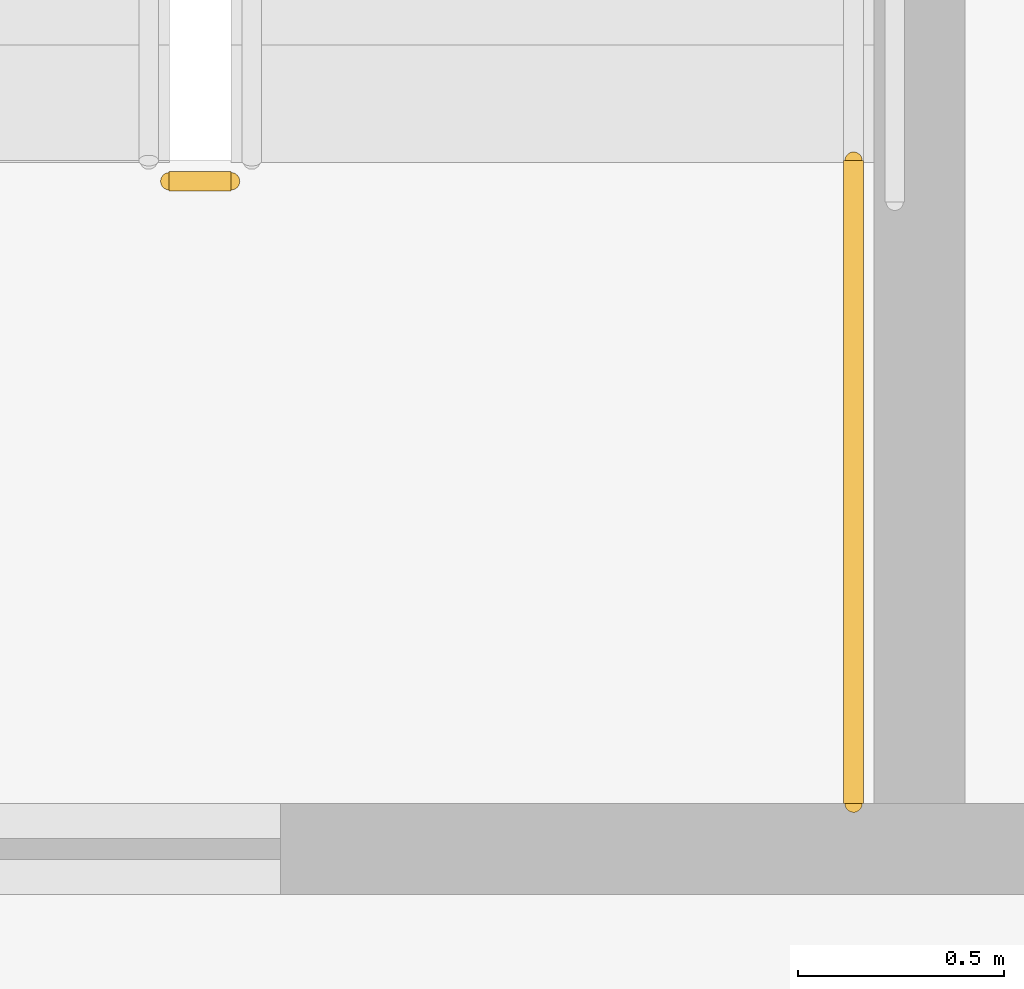
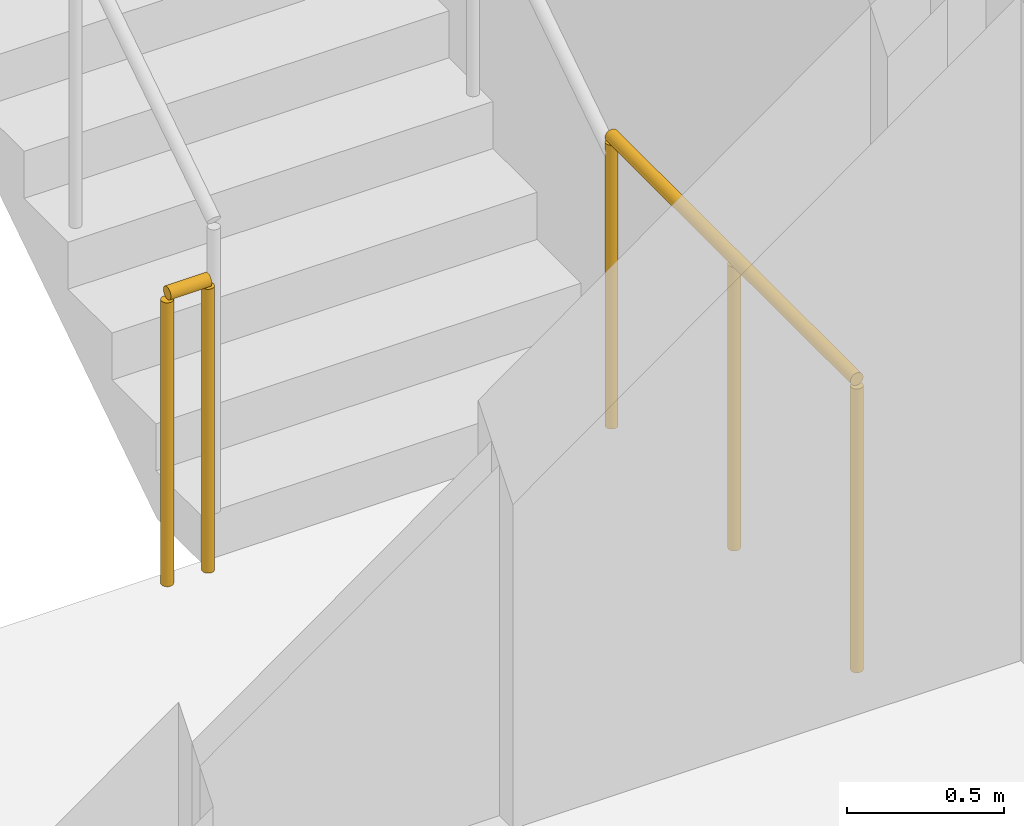
# One storey, part 9 of 13: 2 railings.
"""IFC4 building model written with IfcOpenShell, lengths in metres."""

from ifc_helpers import new_model, si_unit, direction, frame, origin, origin_2d, place, context, subcontext, project, spatial, circle, extrude, material, type_object, element, save


model = new_model("IFC4")

# Units and contexts
model_context = context("Model", 3, precision=1e-05, world=origin(), true_north=direction((0.0, 1.0)))
body_context = subcontext(model_context, "Body", "Model", "MODEL_VIEW")
ifc_project = project(units=[si_unit("LENGTHUNIT", "METRE"), si_unit("AREAUNIT", "SQUARE_METRE"), si_unit("VOLUMEUNIT", "CUBIC_METRE"), si_unit("PLANEANGLEUNIT", "RADIAN"), si_unit("MASSUNIT", "GRAM", prefix="KILO")], contexts=[model_context])

# Site, building, storey
site_placement = place(None, origin())
site = spatial("IfcSite", under=ifc_project, at=site_placement, CompositionType="ELEMENT")
building_placement = place(site_placement, origin())
building = spatial("IfcBuilding", under=site, at=building_placement, Name="Khairoan Windgate Tower", CompositionType="ELEMENT")
storey_placement = place(building_placement, frame((0.0, 0.0, 152.0)))
storey = spatial("IfcBuildingStorey", under=building, at=storey_placement, Name="L35", CompositionType="ELEMENT", Elevation=152.0)

# Railings
ifc_material = material(Name="Steel S355", Category="steel")
railing_type = type_object("IfcRailingType", Name="Stairwell Safety Guardrail SGR-1150", PredefinedType="GUARDRAIL", material=ifc_material)
railing_1_placement = place(storey_placement, frame((-17.7099609375, 2.909912109375, 0.0)))
element("IfcRailing", 1, at=railing_1_placement, inside=storey, type_object=railing_type, Name="L35 ST2 stair guard 7", PredefinedType="GUARDRAIL", context=body_context, shape_type="SweptSolid", body=[
    extrude(circle(Radius=0.02392578125, at=origin_2d()), frame((0.0, 0.0, 1.1259765625), z_axis=(-1.0, 0.0, 0.0), x_axis=(0.0, -1.0, 0.0)), (0.0, 0.0, 1.0), 0.150146484375),
    extrude(circle(Radius=0.02099609375, at=origin_2d()), origin(), (0.0, 0.0, 1.0), 1.101806640625),
    extrude(circle(Radius=0.02099609375, at=origin_2d()), frame((-0.150146484375, 0.0, 0.0)), (0.0, 0.0, 1.0), 1.101806640625),
])
railing_2_placement = place(storey_placement, frame((-16.199951171875, 1.39990234375, 0.0)))
element("IfcRailing", 2, at=railing_2_placement, inside=storey, type_object=railing_type, Name="L35 ST2 stair guard 8", PredefinedType="GUARDRAIL", context=body_context, shape_type="SweptSolid", body=[
    extrude(circle(Radius=0.02392578125, at=origin_2d()), frame((0.0, 0.0, 1.1259765625), z_axis=(0.0, 1.0, 0.0), x_axis=(-1.0, 0.0, 0.0)), (0.0, 0.0, 1.0), 1.56005859375),
    extrude(circle(Radius=0.02099609375, at=origin_2d()), origin(), (0.0, 0.0, 1.0), 1.101806640625),
    extrude(circle(Radius=0.02099609375, at=origin_2d()), frame((0.0, 0.780029296875, 0.0)), (0.0, 0.0, 1.0), 1.101806640625),
    extrude(circle(Radius=0.02099609375, at=origin_2d()), frame((0.0, 1.56005859375, 0.0)), (0.0, 0.0, 1.0), 1.101806640625),
])

save(model, "model.ifc")
